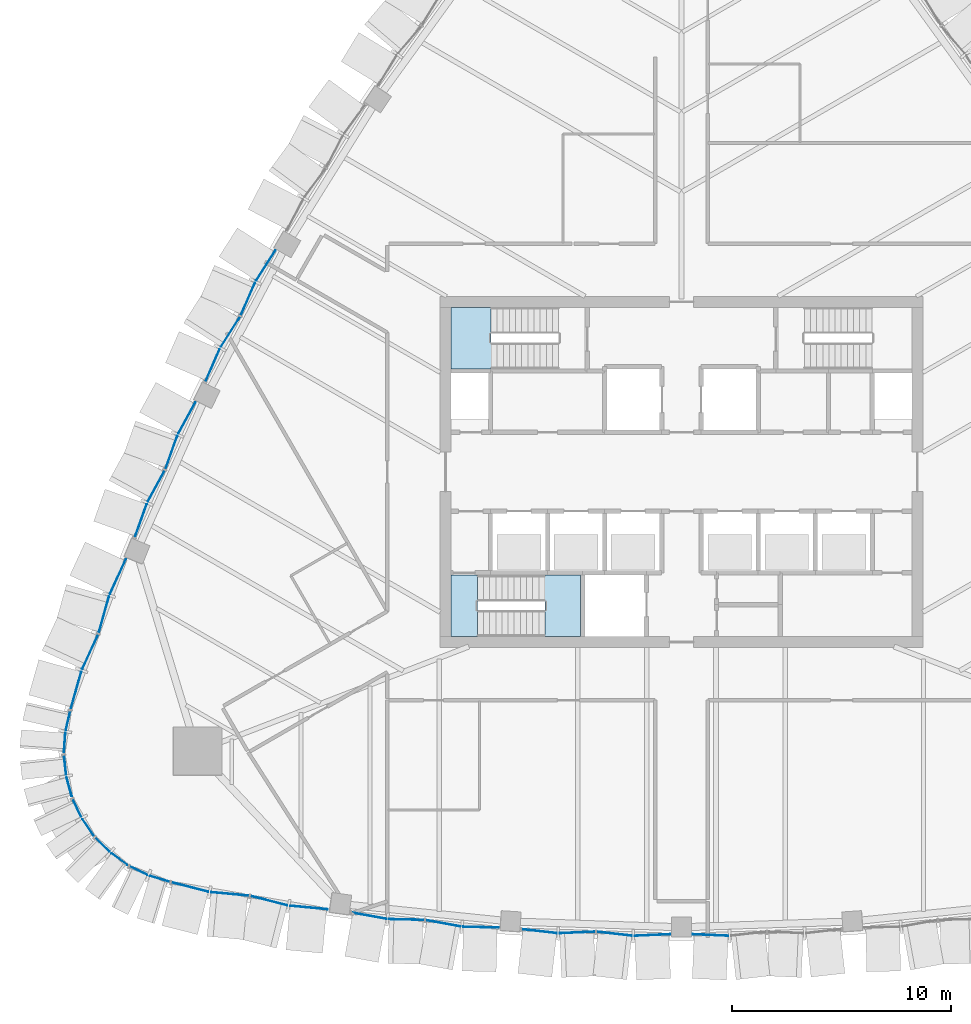
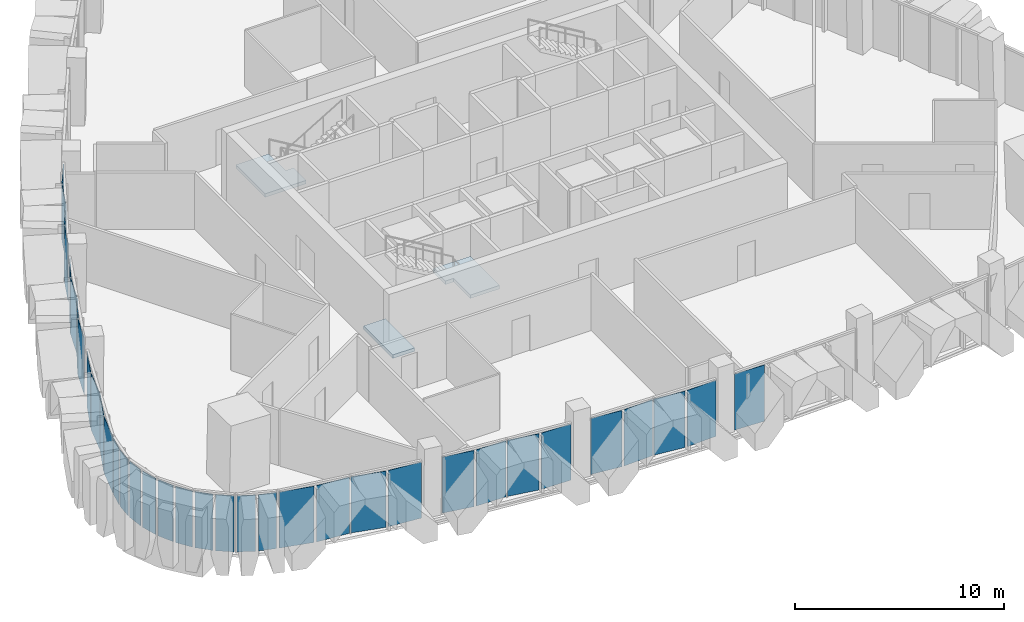
# One storey, part 8 of 20: 35 plates, 3 slabs, 14 elements without a shape of their own.
"""IFC4 building model written with IfcOpenShell, lengths in metres."""

import ifcopenshell
import ifcopenshell.guid

model = None  # the IFC model being written
_history = None  # IfcOwnerHistory: only IFC2X3 demands one
_inside = {}  # id of a spatial element -> (the spatial element, [elements in it])
_under = {}  # id of a project, library or spatial element -> (it, [spatial elements below it])
_declared = {}  # id of a project -> (the project, [libraries it declares])
_typed = {}  # id of a type object -> (the type object, [elements of that type])
_made_of = {}  # id of a material, layer set ... -> (it, [elements and type objects made of it])


def new_model(schema):
    """Start an empty IFC model of exactly this schema.

    Asked for "IFC4X3", IfcOpenShell would pick the latest addendum, in which some entities
    have other attributes; the version numbers below select the first issue.
    IFC2X3 requires an IfcOwnerHistory on every rooted entity: one is made here for all.
    """
    global model, _history
    if schema == "IFC4X3":
        model = ifcopenshell.file(schema_version=(4, 3, 0, 0))
    else:
        model = ifcopenshell.file(schema=schema)
    _inside.clear()
    _under.clear()
    _declared.clear()
    _typed.clear()
    _made_of.clear()
    _history = None
    if model.schema == "IFC2X3":
        org = make("IfcOrganization", Name="unknown")
        user = make(
            "IfcPersonAndOrganization",
            ThePerson=make("IfcPerson", FamilyName="unknown"),
            TheOrganization=org,
        )
        app = make(
            "IfcApplication",
            ApplicationDeveloper=org,
            Version="unknown",
            ApplicationFullName="unknown",
            ApplicationIdentifier="unknown",
        )
        _history = make(
            "IfcOwnerHistory",
            OwningUser=user,
            OwningApplication=app,
            ChangeAction="ADDED",
            CreationDate=0,
        )
    return model


def make(cls, **values):
    """One entity of the class cls with the attributes given. An attribute that is None is left unset."""
    return model.create_entity(
        cls, **{name: value for name, value in values.items() if value is not None}
    )


def rooted(cls, **values):
    """An entity with a GlobalId (a new one), such as an element, a storey or a relation."""
    return make(cls, GlobalId=ifcopenshell.guid.new(), OwnerHistory=_history, **values)


def si_unit(unit_type, name, prefix=None):
    """IfcSIUnit, for example si_unit("LENGTHUNIT", "METRE", prefix="MILLI")."""
    return make("IfcSIUnit", UnitType=unit_type, Prefix=prefix, Name=name)


def assignment(units):
    """IfcUnitAssignment: the units of a project."""
    return None if units is None else make("IfcUnitAssignment", Units=units)


def point(xyz):
    """IfcCartesianPoint."""
    return None if xyz is None else make("IfcCartesianPoint", Coordinates=xyz)


def direction(xyz):
    """IfcDirection."""
    return None if xyz is None else make("IfcDirection", DirectionRatios=xyz)


def frame(location, z_axis=None, x_axis=None):
    """IfcAxis2Placement3D, a coordinate frame: its origin and axes. An axis left out is left unset."""
    return make(
        "IfcAxis2Placement3D",
        Location=point(location),
        Axis=direction(z_axis),
        RefDirection=direction(x_axis),
    )


def origin():
    """The frame at (0, 0, 0) with its axes left unset."""
    return frame((0.0, 0.0, 0.0))


def place(relative_to, where):
    """IfcLocalPlacement: puts the frame where relative to a parent placement (None: the world)."""
    return make(
        "IfcLocalPlacement", PlacementRelTo=relative_to, RelativePlacement=where
    )


def context(
    kind, dimensions, precision=None, world=None, true_north=None, identifier=None
):
    """IfcGeometricRepresentationContext, for example the 3D "Model" context."""
    return make(
        "IfcGeometricRepresentationContext",
        ContextIdentifier=identifier,
        ContextType=kind,
        CoordinateSpaceDimension=dimensions,
        Precision=precision,
        WorldCoordinateSystem=world,
        TrueNorth=true_north,
    )


def subcontext(parent, identifier, kind, view, scale=None):
    """IfcGeometricRepresentationSubContext, for example "Body" below "Model"."""
    return make(
        "IfcGeometricRepresentationSubContext",
        ContextIdentifier=identifier,
        ContextType=kind,
        ParentContext=parent,
        TargetScale=scale,
        TargetView=view,
    )


def project(units=None, contexts=None):
    """IfcProject with its units and contexts."""
    return rooted(
        "IfcProject",
        Name="project",
        RepresentationContexts=contexts,
        UnitsInContext=assignment(units),
    )


def spatial(cls, under=None, at=None, **own):
    """A site, building, storey or space (cls), placed at a placement, below another one or the project."""
    s = rooted(cls, ObjectPlacement=at, **own)
    if under is not None:
        _under.setdefault(under.id(), (under, []))[1].append(s)
    return s


def polyline(points):
    """IfcPolyline through the points."""
    return make("IfcPolyline", Points=[point(p) for p in points])


def outline(outer, holes=None, kind="AREA"):
    """IfcArbitraryClosedProfileDef: a profile drawn as a closed curve; with holes, ...WithVoids."""
    if holes is None:
        return make("IfcArbitraryClosedProfileDef", ProfileType=kind, OuterCurve=outer)
    return make(
        "IfcArbitraryProfileDefWithVoids",
        ProfileType=kind,
        OuterCurve=outer,
        InnerCurves=holes,
    )


def extrude(swept, where, along, depth):
    """IfcExtrudedAreaSolid: the profile swept, set in the frame where, extruded along a direction by depth."""
    return make(
        "IfcExtrudedAreaSolid",
        SweptArea=swept,
        Position=where,
        ExtrudedDirection=direction(along),
        Depth=depth,
    )


def shape(context_of_items, identifier, shape_type, items):
    """IfcShapeRepresentation: the items that make up one representation, for example the "Body"."""
    return make(
        "IfcShapeRepresentation",
        ContextOfItems=context_of_items,
        RepresentationIdentifier=identifier,
        RepresentationType=shape_type,
        Items=items,
    )


def material(Name=None, Category=None):
    """IfcMaterial."""
    return make("IfcMaterial", Name=Name, Category=Category)


def layer(
    of_material, thickness, ventilated=None, Name=None, Category=None, Priority=None
):
    """IfcMaterialLayer: one layer of a wall or slab, of a material (None: an air gap)."""
    return make(
        "IfcMaterialLayer",
        Material=of_material,
        LayerThickness=thickness,
        IsVentilated=ventilated,
        Name=Name,
        Category=Category,
        Priority=Priority,
    )


def layer_set(layers, Name=None):
    """IfcMaterialLayerSet."""
    return make("IfcMaterialLayerSet", MaterialLayers=layers, LayerSetName=Name)


def made_of(thing, what):
    """Note that an element or type object is made of a material, layer set ...; save() writes the relation."""
    if what is not None:
        _made_of.setdefault(what.id(), (what, []))[1].append(thing)
    return thing


def type_object(cls, material=None, **own):
    """A type object (cls), such as IfcWallType, which elements share."""
    return made_of(rooted(cls, **own), material)


def element(
    cls,
    number,
    at=None,
    inside=None,
    cuts=None,
    type_object=None,
    material=None,
    context=None,
    identifier="Body",
    shape_type=None,
    held_by="IfcProductDefinitionShape",
    body=None,
    shapes=None,
    **own,
):
    """One element of the class cls, such as IfcWall. Its Tag is "e" and its number.

    at: its placement. inside: the storey or other place that contains it. cuts: it is an
    opening in that element (IfcRelVoidsElement). A single representation is given by context,
    identifier, shape_type and body (its items); several are given by shapes. held_by: the class
    of the entity that holds the representations. save() writes the other relations.
    """
    e = rooted(cls, Tag="e%d" % number, ObjectPlacement=at, **own)
    if body is not None:
        shapes = [shape(context, identifier, shape_type, body)]
    if shapes is not None:
        e.Representation = make(held_by, Representations=shapes)
    if inside is not None:
        _inside.setdefault(inside.id(), (inside, []))[1].append(e)
    if cuts is not None:
        rooted(
            "IfcRelVoidsElement", RelatingBuildingElement=cuts, RelatedOpeningElement=e
        )
    if type_object is not None:
        _typed.setdefault(type_object.id(), (type_object, []))[1].append(e)
    return made_of(e, material)


def aggregate(whole, parts):
    """IfcRelAggregates: a whole, such as a stair, and the parts it consists of."""
    return rooted("IfcRelAggregates", RelatingObject=whole, RelatedObjects=parts)


def save(model, path):
    """Write the relations noted so far, then the file.

    IfcRelAggregates (storeys below a building ...), IfcRelContainedInSpatialStructure (elements
    in a storey), IfcRelDefinesByType, IfcRelAssociatesMaterial and IfcRelDeclares: one each for
    every whole, place, type object, material and project.
    """
    for whole, parts in _under.values():
        aggregate(whole, parts)
    for where, things in _inside.values():
        rooted(
            "IfcRelContainedInSpatialStructure",
            RelatedElements=things,
            RelatingStructure=where,
        )
    for kind, things in _typed.values():
        rooted("IfcRelDefinesByType", RelatedObjects=things, RelatingType=kind)
    for what, things in _made_of.values():
        rooted("IfcRelAssociatesMaterial", RelatedObjects=things, RelatingMaterial=what)
    for by, libraries in _declared.values():
        rooted("IfcRelDeclares", RelatingContext=by, RelatedDefinitions=libraries)
    model.write(path)


model = new_model("IFC4")

# Units and contexts
model_context = context("Model", 3, precision=1e-05, world=origin(), true_north=direction((0.0, 1.0)))
body_context = subcontext(model_context, "Body", "Model", "MODEL_VIEW")
ifc_project = project(units=[si_unit("LENGTHUNIT", "METRE"), si_unit("AREAUNIT", "SQUARE_METRE"), si_unit("VOLUMEUNIT", "CUBIC_METRE"), si_unit("PLANEANGLEUNIT", "RADIAN"), si_unit("MASSUNIT", "GRAM", prefix="KILO")], contexts=[model_context])

# Site, building, storey
site_placement = place(None, origin())
site = spatial("IfcSite", under=ifc_project, at=site_placement, CompositionType="ELEMENT")
building_placement = place(site_placement, origin())
building = spatial("IfcBuilding", under=site, at=building_placement, Name="Sierra Prisma Convention Tower", CompositionType="ELEMENT")
storey_placement = place(building_placement, frame((0.0, 0.0, 239.0)))
storey = spatial("IfcBuildingStorey", under=building, at=storey_placement, Name="L53", CompositionType="ELEMENT", Elevation=239.0)

# Curtain wall, plates
ifc_material_1 = material(Name="Aluminium and glass curtain wall", Category="aluminium")
ifc_layer_1 = layer(ifc_material_1, 0.179931640625)
ifc_layer_set_1 = layer_set([ifc_layer_1], Name="CW-2 Faceted crystal curtain wall")
curtain_wall_type = type_object("IfcCurtainWallType", Name="CW-2 Faceted crystal curtain wall", PredefinedType="NOTDEFINED", material=ifc_layer_set_1)
curtain_wall_1_placement = place(storey_placement, origin())
curtain_wall_1 = element("IfcCurtainWall", 1, at=curtain_wall_1_placement, inside=storey, type_object=curtain_wall_type, Name="CW-2 S1 L53", PredefinedType="NOTDEFINED")
ifc_material_2 = material(Name="Tinted glass bronze-grey IGU", Category="glass")
ifc_layer_2 = layer(ifc_material_2, 0.028076171875)
ifc_layer_set_2 = layer_set([ifc_layer_2], Name="CW-2 crystal pane")
plate_type = type_object("IfcPlateType", Name="CW-2 crystal pane", PredefinedType="CURTAIN_PANEL", material=ifc_layer_set_2)
plate_1_placement = place(storey_placement, frame((-23.23876953125, -18.71923828125, 0.0), z_axis=(-0.24654922315, -0.969130270172, 0.0), x_axis=(0.969130270172, -0.24654922315, 0.0)))
plate_1 = element("IfcPlate", 2, at=plate_1_placement, type_object=plate_type, Name="CW-2 pane S1.1.1", PredefinedType="CURTAIN_PANEL", context=body_context, shape_type="SweptSolid", body=[
    extrude(outline(polyline([(0.0, 0.0), (1.7309233711962173, 0.0), (1.7309233711962173, 3.280029296875), (0.0, 3.280029296875), (0.0, 0.0)])), origin(), (0.0, 0.0, -1.0), 0.028076171875),
])
plate_2_placement = place(storey_placement, frame((-19.709716796875, -19.3271484375, 0.0), z_axis=(-0.091959955283, -0.995762705982, 0.0), x_axis=(-0.995762705982, 0.091959955283, 0.0)))
plate_2 = element("IfcPlate", 3, at=plate_2_placement, type_object=plate_type, Name="CW-2 pane S1.1.2", PredefinedType="CURTAIN_PANEL", context=body_context, shape_type="SweptSolid", body=[
    extrude(outline(polyline([(0.0, 0.0), (1.730967430438614, 0.0), (1.730967430438614, -3.280029296875), (0.0, -3.280029296875), (0.0, 0.0)])), origin(), (0.0, 0.0, -1.0), 0.028076171875),
])
plate_3_placement = place(storey_placement, frame((-19.640625, -19.339111328125, 0.0), z_axis=(-0.24654922315, -0.969130270172, 0.0), x_axis=(0.969130270172, -0.24654922315, 0.0)))
plate_3 = element("IfcPlate", 4, at=plate_3_placement, type_object=plate_type, Name="CW-2 pane S1.2.1", PredefinedType="CURTAIN_PANEL", context=body_context, shape_type="SweptSolid", body=[
    extrude(outline(polyline([(0.0, 0.0), (1.7309233711962173, 0.0), (1.7309233711962173, 3.280029296875), (0.0, 3.280029296875), (0.0, 0.0)])), origin(), (0.0, 0.0, -1.0), 0.028076171875),
])
plate_4_placement = place(storey_placement, frame((-16.111572265625, -19.947021484375, 0.0), z_axis=(-0.091959955283, -0.995762705982, 0.0), x_axis=(-0.995762705982, 0.091959955283, 0.0)))
plate_4 = element("IfcPlate", 5, at=plate_4_placement, type_object=plate_type, Name="CW-2 pane S1.2.2", PredefinedType="CURTAIN_PANEL", context=body_context, shape_type="SweptSolid", body=[
    extrude(outline(polyline([(0.0, 0.0), (1.730967430438614, 0.0), (1.730967430438614, -3.280029296875), (0.0, -3.280029296875), (0.0, 0.0)])), origin(), (0.0, 0.0, -1.0), 0.028076171875),
])
aggregate(curtain_wall_1, [plate_1, plate_2, plate_3, plate_4])

curtain_wall_2_placement = place(storey_placement, origin())
curtain_wall_2 = element("IfcCurtainWall", 6, at=curtain_wall_2_placement, inside=storey, type_object=curtain_wall_type, Name="CW-2 S2 L53", PredefinedType="NOTDEFINED")
plate_5_placement = place(storey_placement, frame((-15.037841796875, -20.093017578125, 0.0), z_axis=(-0.179874658386, -0.983689538051, 0.0), x_axis=(0.983689538051, -0.179874658386, 0.0)))
plate_5 = element("IfcPlate", 7, at=plate_5_placement, type_object=plate_type, Name="CW-2 pane S2.1.1", PredefinedType="CURTAIN_PANEL", context=body_context, shape_type="SweptSolid", body=[
    extrude(outline(polyline([(0.0, 0.0), (1.6070218150409428, 0.0), (1.6070218150409428, 3.280029296875), (0.0, 3.280029296875), (0.0, 0.0)])), origin(), (0.0, 0.0, -1.0), 0.028076171875),
])
plate_6_placement = place(storey_placement, frame((-11.72119140625, -20.43359375, 0.0), z_axis=(-0.023846149423, -0.999715640149, 0.0), x_axis=(-0.999715640149, 0.023846149423, 0.0)))
plate_6 = element("IfcPlate", 8, at=plate_6_placement, type_object=plate_type, Name="CW-2 pane S2.1.2", PredefinedType="CURTAIN_PANEL", context=body_context, shape_type="SweptSolid", body=[
    extrude(outline(polyline([(0.0, 0.0), (1.6073906711224124, 0.0), (1.6073906711224124, -3.280029296875), (0.0, -3.280029296875), (0.0, 0.0)])), origin(), (0.0, 0.0, -1.0), 0.028076171875),
])
plate_7_placement = place(storey_placement, frame((-11.651611328125, -20.440673828125, 0.0), z_axis=(-0.17999476053, -0.983667568939, 0.0), x_axis=(0.983667568939, -0.17999476053, 0.0)))
plate_7 = element("IfcPlate", 9, at=plate_7_placement, type_object=plate_type, Name="CW-2 pane S2.2.1", PredefinedType="CURTAIN_PANEL", context=body_context, shape_type="SweptSolid", body=[
    extrude(outline(polyline([(0.0, 0.0), (1.6073059003112773, 0.0), (1.6073059003112773, 3.280029296875001), (0.0, 3.280029296875001), (0.0, 0.0)])), origin(), (0.0, 0.0, -1.0), 0.028076171875),
])
plate_8_placement = place(storey_placement, frame((-8.3349609375, -20.781494140625, 0.0), z_axis=(-0.023849770846, -0.99971555376, 0.0), x_axis=(-0.99971555376, 0.023849770846, 0.0)))
plate_8 = element("IfcPlate", 10, at=plate_8_placement, type_object=plate_type, Name="CW-2 pane S2.2.2", PredefinedType="CURTAIN_PANEL", context=body_context, shape_type="SweptSolid", body=[
    extrude(outline(polyline([(0.0, 0.0), (1.6071465999317487, 0.0), (1.6071465999317487, -3.280029296875), (0.0, -3.280029296875), (0.0, 0.0)])), origin(), (0.0, 0.0, -1.0), 0.028076171875),
])
aggregate(curtain_wall_2, [plate_5, plate_6, plate_7, plate_8])

curtain_wall_3_placement = place(storey_placement, origin())
curtain_wall_3 = element("IfcCurtainWall", 11, at=curtain_wall_3_placement, inside=storey, type_object=curtain_wall_type, Name="CW-2 S3 L53", PredefinedType="NOTDEFINED")
plate_9_placement = place(storey_placement, frame((-7.28564453125, -20.852783203125, 0.0), z_axis=(-0.112472117985, -0.993654881071, 0.0), x_axis=(0.993654881071, -0.112472117985, 0.0)))
plate_9 = element("IfcPlate", 12, at=plate_9_placement, type_object=plate_type, Name="CW-2 pane S3.1.1", PredefinedType="CURTAIN_PANEL", context=body_context, shape_type="SweptSolid", body=[
    extrude(outline(polyline([(0.0, 0.0), (1.6149835910790236, 0.0), (1.6149835910790236, 3.280029296875), (0.0, 3.280029296875), (0.0, 0.0)])), origin(), (0.0, 0.0, -1.0), 0.028076171875),
])
plate_10_placement = place(storey_placement, frame((-3.937744140625, -20.967041015625, 0.0), z_axis=(0.044440843274, -0.99901201767, 0.0), x_axis=(-0.99901201767, -0.044440843274, 0.0)))
plate_10 = element("IfcPlate", 13, at=plate_10_placement, type_object=plate_type, Name="CW-2 pane S3.1.2", PredefinedType="CURTAIN_PANEL", context=body_context, shape_type="SweptSolid", body=[
    extrude(outline(polyline([(0.0, 0.0), (1.6151211017342832, 0.0), (1.6151211017342832, -3.280029296875), (0.0, -3.280029296875), (0.0, 0.0)])), origin(), (0.0, 0.0, -1.0), 0.028076171875),
])
plate_11_placement = place(storey_placement, frame((-3.86767578125, -20.969482421875, 0.0), z_axis=(-0.112305983896, -0.993673671776, 0.0), x_axis=(0.993673671776, -0.112305983896, 0.0)))
plate_11 = element("IfcPlate", 14, at=plate_11_placement, type_object=plate_type, Name="CW-2 pane S3.2.1", PredefinedType="CURTAIN_PANEL", context=body_context, shape_type="SweptSolid", body=[
    extrude(outline(polyline([(0.0, 0.0), (1.6151987461648736, 0.0), (1.6151987461648736, 3.280029296875), (0.0, 3.280029296875), (0.0, 0.0)])), origin(), (0.0, 0.0, -1.0), 0.028076171875),
])
plate_12_placement = place(storey_placement, frame((-0.519775390625, -21.083740234375, 0.0), z_axis=(0.044440843274, -0.99901201767, 0.0), x_axis=(-0.99901201767, -0.044440843274, 0.0)))
plate_12 = element("IfcPlate", 15, at=plate_12_placement, type_object=plate_type, Name="CW-2 pane S3.2.2", PredefinedType="CURTAIN_PANEL", context=body_context, shape_type="SweptSolid", body=[
    extrude(outline(polyline([(0.0, 0.0), (1.6151211017342832, 0.0), (1.6151211017342832, -3.280029296875), (0.0, -3.280029296875), (0.0, 0.0)])), origin(), (0.0, 0.0, -1.0), 0.028076171875),
])
aggregate(curtain_wall_3, [plate_9, plate_10, plate_11, plate_12])

# Curtain wall, plate
curtain_wall_4_placement = place(storey_placement, origin())
curtain_wall_4 = element("IfcCurtainWall", 16, at=curtain_wall_4_placement, inside=storey, type_object=curtain_wall_type, Name="CW-2 S4 L53", PredefinedType="NOTDEFINED")
plate_13_placement = place(storey_placement, frame((0.519775390625, -21.083740234375, 0.0), z_axis=(-0.044440843274, -0.99901201767, 0.0), x_axis=(0.99901201767, -0.044440843274, 0.0)))
plate_13 = element("IfcPlate", 17, at=plate_13_placement, type_object=plate_type, Name="CW-2 pane S4.1.1", PredefinedType="CURTAIN_PANEL", context=body_context, shape_type="SweptSolid", body=[
    extrude(outline(polyline([(0.0, 0.0), (1.6151211017342832, 0.0), (1.6151211017342832, 3.280029296875), (0.0, 3.280029296875), (0.0, 0.0)])), origin(), (0.0, 0.0, -1.0), 0.028076171875),
])
aggregate(curtain_wall_4, [plate_13])

# Curtain wall, plates
curtain_wall_5_placement = place(storey_placement, origin())
curtain_wall_5 = element("IfcCurtainWall", 18, at=curtain_wall_5_placement, inside=storey, type_object=curtain_wall_type, Name="CW-2 NW4 L53", PredefinedType="NOTDEFINED")
plate_14_placement = place(storey_placement, frame((-18.518798828125, 10.091796875, 0.0), z_axis=(-0.842976170925, 0.537950904128, 0.0), x_axis=(-0.537950904128, -0.842976170925, 0.0)))
plate_14 = element("IfcPlate", 19, at=plate_14_placement, type_object=plate_type, Name="CW-2 pane NW4.1.1", PredefinedType="CURTAIN_PANEL", context=body_context, shape_type="SweptSolid", body=[
    extrude(outline(polyline([(0.0, 0.0), (1.6151966242778093, 0.0), (1.6151966242778093, 3.280029296875), (0.0, 3.280029296875), (0.0, 0.0)])), origin(), (0.0, 0.0, -1.0), 0.028076171875),
])
plate_15_placement = place(storey_placement, frame((-20.093994140625, 7.13525390625, 0.0), z_axis=(-0.916735710593, 0.399494226397, 0.0), x_axis=(0.399494226397, 0.916735710593, 0.0)))
plate_15 = element("IfcPlate", 20, at=plate_15_placement, type_object=plate_type, Name="CW-2 pane NW4.1.2", PredefinedType="CURTAIN_PANEL", context=body_context, shape_type="SweptSolid", body=[
    extrude(outline(polyline([(0.0, 0.0), (1.6152014953883156, 0.0), (1.6152014953883156, -3.280029296875), (0.0, -3.280029296875), (0.0, 0.0)])), origin(), (0.0, 0.0, -1.0), 0.028076171875),
])
plate_16_placement = place(storey_placement, frame((-20.126708984375, 7.0732421875, 0.0), z_axis=(-0.842863860757, 0.538126855146, 0.0), x_axis=(-0.538126855146, -0.842863860757, 0.0)))
plate_16 = element("IfcPlate", 21, at=plate_16_placement, type_object=plate_type, Name="CW-2 pane NW4.2.1", PredefinedType="CURTAIN_PANEL", context=body_context, shape_type="SweptSolid", body=[
    extrude(outline(polyline([(0.0, 0.0), (1.6151221904058548, 0.0), (1.6151221904058548, 3.280029296875), (0.0, 3.280029296875), (0.0, 0.0)])), origin(), (0.0, 0.0, -1.0), 0.028076171875),
])
plate_17_placement = place(storey_placement, frame((-21.701904296875, 4.11669921875, 0.0), z_axis=(-0.916735710593, 0.399494226397, 0.0), x_axis=(0.399494226397, 0.916735710593, 0.0)))
plate_17 = element("IfcPlate", 22, at=plate_17_placement, type_object=plate_type, Name="CW-2 pane NW4.2.2", PredefinedType="CURTAIN_PANEL", context=body_context, shape_type="SweptSolid", body=[
    extrude(outline(polyline([(0.0, 0.0), (1.6152014953883156, 0.0), (1.6152014953883156, -3.280029296875), (0.0, -3.280029296875), (0.0, 0.0)])), origin(), (0.0, 0.0, -1.0), 0.028076171875),
])
aggregate(curtain_wall_5, [plate_14, plate_15, plate_16, plate_17])

curtain_wall_6_placement = place(storey_placement, origin())
curtain_wall_6 = element("IfcCurtainWall", 23, at=curtain_wall_6_placement, inside=storey, type_object=curtain_wall_type, Name="CW-2 NW5 L53", PredefinedType="NOTDEFINED")
plate_18_placement = place(storey_placement, frame((-22.164794921875, 3.17236328125, 0.0), z_axis=(-0.877680695454, 0.479245862609, 0.0), x_axis=(-0.479245862609, -0.877680695454, 0.0)))
plate_18 = element("IfcPlate", 24, at=plate_18_placement, type_object=plate_type, Name="CW-2 pane NW5.1.1", PredefinedType="CURTAIN_PANEL", context=body_context, shape_type="SweptSolid", body=[
    extrude(outline(polyline([(0.0, 0.0), (1.607241151089621, 0.0), (1.607241151089621, 3.280029296875), (0.0, 3.280029296875), (0.0, 0.0)])), origin(), (0.0, 0.0, -1.0), 0.028076171875),
])
plate_19_placement = place(storey_placement, frame((-23.528076171875, 0.129638671875, 0.0), z_axis=(-0.941868991918, 0.335980359639, 0.0), x_axis=(0.335980359639, 0.941868991918, 0.0)))
plate_19 = element("IfcPlate", 25, at=plate_19_placement, type_object=plate_type, Name="CW-2 pane NW5.1.2", PredefinedType="CURTAIN_PANEL", context=body_context, shape_type="SweptSolid", body=[
    extrude(outline(polyline([(0.0, 0.0), (1.607353069923268, 0.0), (1.607353069923268, -3.280029296875), (0.0, -3.280029296875), (0.0, 0.0)])), origin(), (0.0, 0.0, -1.0), 0.028076171875),
])
plate_20_placement = place(storey_placement, frame((-23.556640625, 0.06591796875, 0.0), z_axis=(-0.877680695454, 0.479245862609, 0.0), x_axis=(-0.479245862609, -0.877680695454, 0.0)))
plate_20 = element("IfcPlate", 26, at=plate_20_placement, type_object=plate_type, Name="CW-2 pane NW5.2.1", PredefinedType="CURTAIN_PANEL", context=body_context, shape_type="SweptSolid", body=[
    extrude(outline(polyline([(0.0, 0.0), (1.607241151089621, 0.0), (1.607241151089621, 3.280029296875), (0.0, 3.280029296875), (0.0, 0.0)])), origin(), (0.0, 0.0, -1.0), 0.028076171875),
])
plate_21_placement = place(storey_placement, frame((-24.919921875, -2.976806640625, 0.0), z_axis=(-0.941851842486, 0.336028431545, 0.0), x_axis=(0.336028431545, 0.941851842486, 0.0)))
plate_21 = element("IfcPlate", 27, at=plate_21_placement, type_object=plate_type, Name="CW-2 pane NW5.2.2", PredefinedType="CURTAIN_PANEL", context=body_context, shape_type="SweptSolid", body=[
    extrude(outline(polyline([(0.0, 0.0), (1.6071231235321999, 0.0), (1.6071231235321999, -3.280029296875), (0.0, -3.280029296875), (0.0, 0.0)])), origin(), (0.0, 0.0, -1.0), 0.028076171875),
])
aggregate(curtain_wall_6, [plate_18, plate_19, plate_20, plate_21])

curtain_wall_7_placement = place(storey_placement, origin())
curtain_wall_7 = element("IfcCurtainWall", 28, at=curtain_wall_7_placement, inside=storey, type_object=curtain_wall_type, Name="CW-2 NW6 L53", PredefinedType="NOTDEFINED")
plate_22_placement = place(storey_placement, frame((-25.330322265625, -3.9794921875, 0.0), z_axis=(-0.908322260911, 0.418271048884, 0.0), x_axis=(-0.418271048884, -0.908322260911, 0.0)))
plate_22 = element("IfcPlate", 29, at=plate_22_placement, type_object=plate_type, Name="CW-2 pane NW6.1.1", PredefinedType="CURTAIN_PANEL", context=body_context, shape_type="SweptSolid", body=[
    extrude(outline(polyline([(0.0, 0.0), (1.7312245150181098, 0.0), (1.7312245150181098, 3.280029296875), (0.0, 3.280029296875), (0.0, 0.0)])), origin(), (0.0, 0.0, -1.0), 0.028076171875),
])
plate_23_placement = place(storey_placement, frame((-26.568359375, -7.33984375, 0.0), z_axis=(-0.962596930195, 0.270937538887, 0.0), x_axis=(0.270937538887, 0.962596930195, 0.0)))
plate_23 = element("IfcPlate", 30, at=plate_23_placement, type_object=plate_type, Name="CW-2 pane NW6.1.2", PredefinedType="CURTAIN_PANEL", context=body_context, shape_type="SweptSolid", body=[
    extrude(outline(polyline([(0.0, 0.0), (1.731004653512307, 0.0), (1.731004653512307, -3.280029296875), (0.0, -3.280029296875), (0.0, 0.0)])), origin(), (0.0, 0.0, -1.0), 0.028076171875),
])
plate_24_placement = place(storey_placement, frame((-26.592529296875, -7.405517578125, 0.0), z_axis=(-0.908322260911, 0.418271048884, 0.0), x_axis=(-0.418271048884, -0.908322260911, 0.0)))
plate_24 = element("IfcPlate", 31, at=plate_24_placement, type_object=plate_type, Name="CW-2 pane NW6.2.1", PredefinedType="CURTAIN_PANEL", context=body_context, shape_type="SweptSolid", body=[
    extrude(outline(polyline([(0.0, 0.0), (1.7312245150181098, 0.0), (1.7312245150181098, 3.280029296875), (0.0, 3.280029296875), (0.0, 0.0)])), origin(), (0.0, 0.0, -1.0), 0.028076171875),
])
plate_25_placement = place(storey_placement, frame((-27.830810546875, -10.765869140625, 0.0), z_axis=(-0.962560139026, 0.271068217906, 0.0), x_axis=(0.271068217906, 0.962560139026, 0.0)))
plate_25 = element("IfcPlate", 32, at=plate_25_placement, type_object=plate_type, Name="CW-2 pane NW6.2.2", PredefinedType="CURTAIN_PANEL", context=body_context, shape_type="SweptSolid", body=[
    extrude(outline(polyline([(0.0, 0.0), (1.7310708163247204, 0.0), (1.7310708163247204, -3.280029296875001), (0.0, -3.280029296875001), (0.0, 0.0)])), origin(), (0.0, 0.0, -1.0), 0.028076171875),
])
aggregate(curtain_wall_7, [plate_22, plate_23, plate_24, plate_25])

curtain_wall_8_placement = place(storey_placement, origin())
curtain_wall_8 = element("IfcCurtainWall", 33, at=curtain_wall_8_placement, inside=storey, type_object=curtain_wall_type, Name="CW-2 SW1 L53", PredefinedType="NOTDEFINED")
plate_26_placement = place(storey_placement, frame((-27.865478515625, -10.900634765625, 0.0), z_axis=(-0.973922092517, 0.226882695919, 0.0), x_axis=(-0.226882695919, -0.973922092517, 0.0)))
plate_26 = element("IfcPlate", 34, at=plate_26_placement, type_object=plate_type, Name="CW-2 pane SW1.1.1", PredefinedType="CURTAIN_PANEL", context=body_context, shape_type="SweptSolid", body=[
    extrude(outline(polyline([(0.0, 0.0), (0.8899061079004057, 0.0), (0.8899061079004057, 3.280029296875), (0.0, 3.280029296875), (0.0, 0.0)])), origin(), (0.0, 0.0, -1.0), 0.028076171875),
])
plate_27_placement = place(storey_placement, frame((-28.150634765625, -12.78271484375, 0.0), z_axis=(-0.997412528227, 0.071890531608, 0.0), x_axis=(0.071890531608, 0.997412528227, 0.0)))
plate_27 = element("IfcPlate", 35, at=plate_27_placement, type_object=plate_type, Name="CW-2 pane SW1.1.2", PredefinedType="CURTAIN_PANEL", context=body_context, shape_type="SweptSolid", body=[
    extrude(outline(polyline([(0.0, 0.0), (0.8897533836396874, 0.0), (0.8897533836396874, -3.280029296875), (0.0, -3.280029296875), (0.0, 0.0)])), origin(), (0.0, 0.0, -1.0), 0.028076171875),
])
aggregate(curtain_wall_8, [plate_26, plate_27])

curtain_wall_9_placement = place(storey_placement, origin())
curtain_wall_9 = element("IfcCurtainWall", 36, at=curtain_wall_9_placement, inside=storey, type_object=curtain_wall_type, Name="CW-2 SW2 L53", PredefinedType="NOTDEFINED")
plate_28_placement = place(storey_placement, frame((-28.14794921875, -12.9208984375, 0.0), z_axis=(-0.994168149957, -0.107841038624, 0.0), x_axis=(0.107841038624, -0.994168149957, 0.0)))
plate_28 = element("IfcPlate", 37, at=plate_28_placement, type_object=plate_type, Name="CW-2 pane SW2.1.1", PredefinedType="CURTAIN_PANEL", context=body_context, shape_type="SweptSolid", body=[
    extrude(outline(polyline([(0.0, 0.0), (0.889710140496256, 0.0), (0.889710140496256, 3.280029296875), (0.0, 3.280029296875), (0.0, 0.0)])), origin(), (0.0, 0.0, -1.0), 0.028076171875),
])
plate_29_placement = place(storey_placement, frame((-27.794921875, -14.791259765625, 0.0), z_axis=(-0.965054513103, -0.262049206714, 0.0), x_axis=(-0.262049206714, 0.965054513103, 0.0)))
plate_29 = element("IfcPlate", 38, at=plate_29_placement, type_object=plate_type, Name="CW-2 pane SW2.1.2", PredefinedType="CURTAIN_PANEL", context=body_context, shape_type="SweptSolid", body=[
    extrude(outline(polyline([(0.0, 0.0), (0.889734793700023, 0.0), (0.889734793700023, -3.2800292968749996), (0.0, -3.2800292968749996), (0.0, 0.0)])), origin(), (0.0, 0.0, -1.0), 0.028076171875),
])
aggregate(curtain_wall_9, [plate_28, plate_29])

curtain_wall_10_placement = place(storey_placement, origin())
curtain_wall_10 = element("IfcCurtainWall", 39, at=curtain_wall_10_placement, inside=storey, type_object=curtain_wall_type, Name="CW-2 SW3 L53", PredefinedType="NOTDEFINED")
plate_30_placement = place(storey_placement, frame((-27.746826171875, -14.920654296875, 0.0), z_axis=(-0.902667653231, -0.430338364325, 0.0), x_axis=(0.430338364325, -0.902667653231, 0.0)))
plate_30 = element("IfcPlate", 40, at=plate_30_placement, type_object=plate_type, Name="CW-2 pane SW3.1.1", PredefinedType="CURTAIN_PANEL", context=body_context, shape_type="SweptSolid", body=[
    extrude(outline(polyline([(0.0, 0.0), (0.8895616373875272, 0.0), (0.8895616373875272, 3.280029296875), (0.0, 3.280029296875), (0.0, 0.0)])), origin(), (0.0, 0.0, -1.0), 0.028076171875),
])
plate_31_placement = place(storey_placement, frame((-26.795166015625, -16.569091796875, 0.0), z_axis=(-0.824113982765, -0.566423996146, 0.0), x_axis=(-0.566423996146, 0.824113982765, 0.0)))
plate_31 = element("IfcPlate", 41, at=plate_31_placement, type_object=plate_type, Name="CW-2 pane SW3.1.2", PredefinedType="CURTAIN_PANEL", context=body_context, shape_type="SweptSolid", body=[
    extrude(outline(polyline([(0.0, 0.0), (0.8896272993874109, 0.0), (0.8896272993874109, -3.280029296875), (0.0, -3.280029296875), (0.0, 0.0)])), origin(), (0.0, 0.0, -1.0), 0.028076171875),
])
aggregate(curtain_wall_10, [plate_30, plate_31])

curtain_wall_11_placement = place(storey_placement, origin())
curtain_wall_11 = element("IfcCurtainWall", 42, at=curtain_wall_11_placement, inside=storey, type_object=curtain_wall_type, Name="CW-2 SW4 L53", PredefinedType="NOTDEFINED")
plate_32_placement = place(storey_placement, frame((-26.70703125, -16.675537109375, 0.0), z_axis=(-0.709435700534, -0.704770165946, 0.0), x_axis=(0.704770165946, -0.709435700534, 0.0)))
plate_32 = element("IfcPlate", 43, at=plate_32_placement, type_object=plate_type, Name="CW-2 pane SW4.1.1", PredefinedType="CURTAIN_PANEL", context=body_context, shape_type="SweptSolid", body=[
    extrude(outline(polyline([(0.0, 0.0), (0.88958522266363, 0.0), (0.88958522266363, 3.280029296875), (0.0, 3.280029296875), (0.0, 0.0)])), origin(), (0.0, 0.0, -1.0), 0.028076171875),
])
plate_33_placement = place(storey_placement, frame((-25.263671875, -17.91650390625, 0.0), z_axis=(-0.590518712357, -0.807023946581, 0.0), x_axis=(-0.807023946581, 0.590518712357, 0.0)))
plate_33 = element("IfcPlate", 44, at=plate_33_placement, type_object=plate_type, Name="CW-2 pane SW4.1.2", PredefinedType="CURTAIN_PANEL", context=body_context, shape_type="SweptSolid", body=[
    extrude(outline(polyline([(0.0, 0.0), (0.8897103749728792, 0.0), (0.8897103749728792, -3.280029296875), (0.0, -3.280029296875), (0.0, 0.0)])), origin(), (0.0, 0.0, -1.0), 0.028076171875),
])
aggregate(curtain_wall_11, [plate_32, plate_33])

curtain_wall_12_placement = place(storey_placement, origin())
curtain_wall_12 = element("IfcCurtainWall", 45, at=curtain_wall_12_placement, inside=storey, type_object=curtain_wall_type, Name="CW-2 SW5 L53", PredefinedType="NOTDEFINED")
plate_34_placement = place(storey_placement, frame((-25.1455078125, -17.98779296875, 0.0), z_axis=(-0.436536034417, -0.899686773636, 0.0), x_axis=(0.899686773636, -0.436536034417, 0.0)))
plate_34 = element("IfcPlate", 46, at=plate_34_placement, type_object=plate_type, Name="CW-2 pane SW5.1.1", PredefinedType="CURTAIN_PANEL", context=body_context, shape_type="SweptSolid", body=[
    extrude(outline(polyline([(0.0, 0.0), (0.8897953519310923, 0.0), (0.8897953519310923, 3.280029296875), (0.0, 3.280029296875), (0.0, 0.0)])), origin(), (0.0, 0.0, -1.0), 0.028076171875),
])
plate_35_placement = place(storey_placement, frame((-23.373046875, -18.681640625, 0.0), z_axis=(-0.290342504729, -0.956922792051, 0.0), x_axis=(-0.956922792051, 0.290342504729, 0.0)))
plate_35 = element("IfcPlate", 47, at=plate_35_placement, type_object=plate_type, Name="CW-2 pane SW5.1.2", PredefinedType="CURTAIN_PANEL", context=body_context, shape_type="SweptSolid", body=[
    extrude(outline(polyline([(0.0, 0.0), (0.8896416371794331, 0.0), (0.8896416371794331, -3.280029296875001), (0.0, -3.280029296875001), (0.0, 0.0)])), origin(), (0.0, 0.0, -1.0), 0.028076171875),
])
aggregate(curtain_wall_12, [plate_34, plate_35])

# Stair, slab
ifc_material_3 = material(Name="Concrete C30/37", Category="concrete")
stair_type = type_object("IfcStairType", Name="Stair dog-leg 1200 RC", PredefinedType="HALF_TURN_STAIR", material=ifc_material_3)
stair_1_placement = place(storey_placement, origin())
stair_1 = element("IfcStair", 48, at=stair_1_placement, inside=storey, type_object=stair_type, Name="L53 S1", PredefinedType="HALF_TURN_STAIR")
ifc_material_4 = material(Name="Concrete C35/45", Category="concrete")
ifc_layer_3 = layer(ifc_material_4, 0.199951171875)
ifc_layer_set_3 = layer_set([ifc_layer_3], Name="Stair landing slab")
slab_type = type_object("IfcSlabType", Name="Stair landing slab", PredefinedType="LANDING", material=ifc_layer_set_3)
slab_1_placement = place(storey_placement, frame((0.0, 0.0, 1.800048828125)))
slab_1 = element("IfcSlab", 49, at=slab_1_placement, type_object=slab_type, Name="S1 landing 1", PredefinedType="LANDING", context=body_context, shape_type="SweptSolid", body=[
    extrude(outline(polyline([(-4.60009765625, -4.699951171875), (-4.60009765625, -7.5), (-6.221923828125, -7.5), (-6.221923828125, -5.89990234375), (-6.669921875, -5.89990234375), (-6.669921875, -4.699951171875), (-4.60009765625, -4.699951171875)])), origin(), (0.0, 0.0, 1.0), 0.199951171875),
])
aggregate(stair_1, [slab_1])

# Slab
slab_2_placement = place(storey_placement, frame((0.0, 0.0, -0.199951171875)))
element("IfcSlab", 50, at=slab_2_placement, inside=storey, type_object=slab_type, Name="S1 floor landing L53", PredefinedType="LANDING", context=body_context, shape_type="SweptSolid", body=[
    extrude(outline(polyline([(-10.5, -7.5), (-9.298095703125, -7.5), (-9.298095703125, -4.699951171875), (-10.5, -4.699951171875), (-10.5, -7.5)])), origin(), (0.0, 0.0, 1.0), 0.199951171875),
])

# Stair, slab
stair_2_placement = place(storey_placement, origin())
stair_2 = element("IfcStair", 51, at=stair_2_placement, inside=storey, type_object=stair_type, Name="L53 S3", PredefinedType="HALF_TURN_STAIR")
slab_3_placement = place(storey_placement, frame((0.0, 0.0, 1.800048828125)))
slab_3 = element("IfcSlab", 52, at=slab_3_placement, type_object=slab_type, Name="S3 landing 1", PredefinedType="LANDING", context=body_context, shape_type="SweptSolid", body=[
    extrude(outline(polyline([(-8.22998046875, 5.89990234375), (-8.22998046875, 4.699951171875), (-10.5, 4.699951171875), (-10.5, 7.5), (-8.677978515625, 7.5), (-8.677978515625, 5.89990234375), (-8.22998046875, 5.89990234375)])), origin(), (0.0, 0.0, 1.0), 0.199951171875),
])
aggregate(stair_2, [slab_3])

save(model, "model.ifc")
